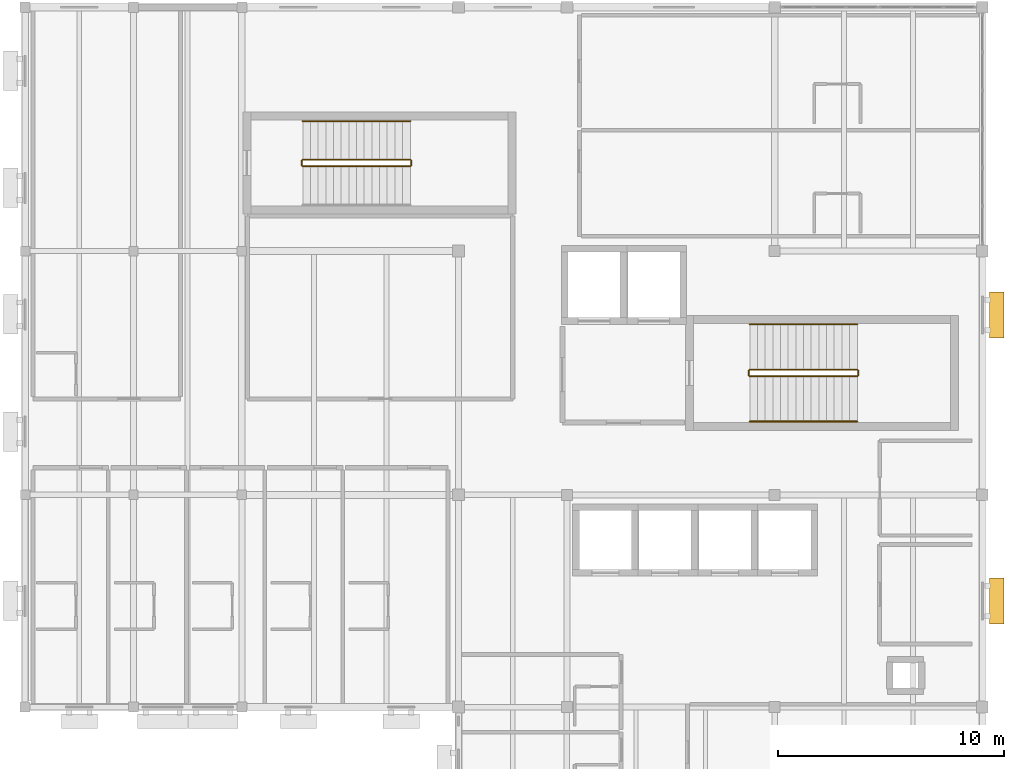
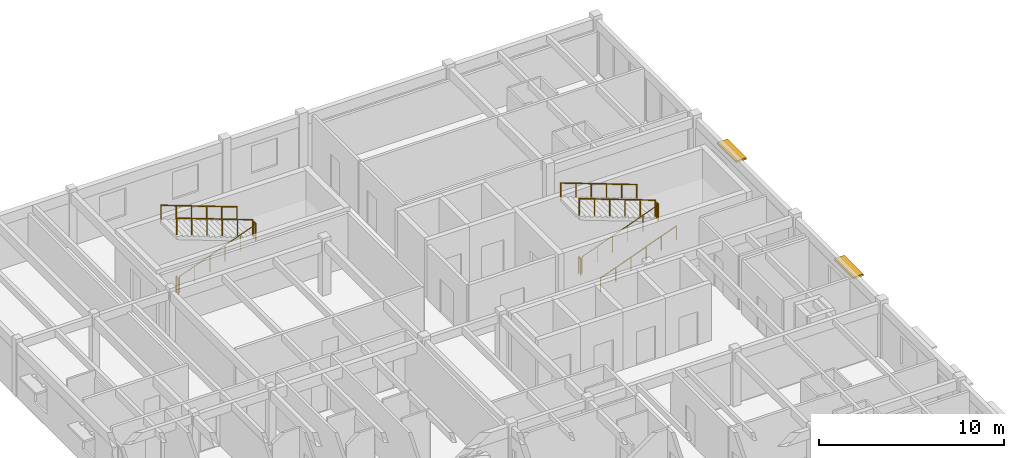
# One storey, part 20 of 20: 11 railings, 2 shading devices.
"""IFC4 building model written with IfcOpenShell, lengths in metres."""

from ifc_helpers import new_model, si_unit, direction, frame, origin, origin_2d, place, context, subcontext, project, spatial, rectangle, circle, extrude, material, type_object, element, save


model = new_model("IFC4")

# Units and contexts
model_context = context("Model", 3, precision=1e-05, world=origin(), true_north=direction((0.0, 1.0)))
body_context = subcontext(model_context, "Body", "Model", "MODEL_VIEW")
ifc_project = project(units=[si_unit("LENGTHUNIT", "METRE"), si_unit("AREAUNIT", "SQUARE_METRE"), si_unit("VOLUMEUNIT", "CUBIC_METRE"), si_unit("PLANEANGLEUNIT", "RADIAN"), si_unit("MASSUNIT", "GRAM", prefix="KILO")], contexts=[model_context])

# Site, building, storey
site_placement = place(None, origin())
site = spatial("IfcSite", under=ifc_project, at=site_placement, CompositionType="ELEMENT")
building_placement = place(site_placement, origin())
building = spatial("IfcBuilding", under=site, at=building_placement, Name="Veldera Park Congress Hotel", CompositionType="ELEMENT")
storey_placement = place(building_placement, frame((0.0, 0.0, 27.60009765625)))
storey = spatial("IfcBuildingStorey", under=building, at=storey_placement, Name="L06", CompositionType="ELEMENT", Elevation=27.60009765625)

# Railings
ifc_material_1 = material(Name="Steel ASTM A992 Gr.50", Category="steel")
railing_type_1 = type_object("IfcRailingType", Name="GRD-ST110", PredefinedType="GUARDRAIL", material=ifc_material_1)
railing_1_placement = place(storey_placement, frame((73.699951171875, 41.64990234375, 0.12646484375)))
element("IfcRailing", 1, at=railing_1_placement, inside=storey, type_object=railing_type_1, Name="L06 ST1 stair guard 1", PredefinedType="GUARDRAIL", context=body_context, shape_type="SweptSolid", body=[
    extrude(circle(Radius=0.02392578125, at=origin_2d()), frame((0.0, 0.0, 1.076171875), z_axis=(0.937075640343, 0.0, 0.349126401572), x_axis=(0.0, 1.0, 0.0)), (0.0, 0.0, 1.0), 5.07958984375),
    extrude(circle(Radius=0.02099609375, at=origin_2d()), origin(), (0.0, 0.0, 1.0), 1.052001953125),
    extrude(circle(Radius=0.02099609375, at=origin_2d()), frame((0.951904296875, 0.0, 0.354736328125)), (0.0, 0.0, 1.0), 1.052001953125),
    extrude(circle(Radius=0.02099609375, at=origin_2d()), frame((1.904052734375, 0.0, 0.70947265625)), (0.0, 0.0, 1.0), 1.052001953125),
    extrude(circle(Radius=0.02099609375, at=origin_2d()), frame((2.85595703125, 0.0, 1.06396484375)), (0.0, 0.0, 1.0), 1.052001953125),
    extrude(circle(Radius=0.02099609375, at=origin_2d()), frame((3.80810546875, 0.0, 1.418701171875)), (0.0, 0.0, 1.0), 1.052001953125),
    extrude(circle(Radius=0.02099609375, at=origin_2d()), frame((4.760009765625, 0.0, 1.7734375)), (0.0, 0.0, 1.0), 1.052001953125),
])
railing_2_placement = place(storey_placement, frame((78.510009765625, 41.699951171875, 1.89990234375)))
element("IfcRailing", 2, at=railing_2_placement, inside=storey, type_object=railing_type_1, Name="L06 ST1 stair guard 2", PredefinedType="GUARDRAIL", context=body_context, shape_type="SweptSolid", body=[
    extrude(circle(Radius=0.02392578125, at=origin_2d()), frame((0.0, 0.0, 1.076171875), z_axis=(0.0, 1.0, 0.0), x_axis=(-1.0, 0.0, 0.0)), (0.0, 0.0, 1.0), 0.199951171875),
    extrude(circle(Radius=0.02099609375, at=origin_2d()), origin(), (0.0, 0.0, 1.0), 1.052001953125),
    extrude(circle(Radius=0.02099609375, at=origin_2d()), frame((0.0, 0.199951171875, 0.0)), (0.0, 0.0, 1.0), 1.052001953125),
])
railing_3_placement = place(storey_placement, frame((78.4599609375, 41.949951171875, 2.026611328125)))
element("IfcRailing", 3, at=railing_3_placement, inside=storey, type_object=railing_type_1, Name="L06 ST1 stair guard 3", PredefinedType="GUARDRAIL", context=body_context, shape_type="SweptSolid", body=[
    extrude(circle(Radius=0.02392578125, at=origin_2d()), frame((0.0, 0.0, 1.076171875), z_axis=(-0.937091363699, 0.0, 0.349084196263), x_axis=(0.0, -1.0, 0.0)), (0.0, 0.0, 1.0), 5.07958984375),
    extrude(circle(Radius=0.02099609375, at=origin_2d()), origin(), (0.0, 0.0, 1.0), 1.052001953125),
    extrude(circle(Radius=0.02099609375, at=origin_2d()), frame((-0.951904296875, 0.0, 0.354736328125)), (0.0, 0.0, 1.0), 1.052001953125),
    extrude(circle(Radius=0.02099609375, at=origin_2d()), frame((-1.904052734375, 0.0, 0.709228515625)), (0.0, 0.0, 1.0), 1.052001953125),
    extrude(circle(Radius=0.02099609375, at=origin_2d()), frame((-2.85595703125, 0.0, 1.06396484375)), (0.0, 0.0, 1.0), 1.052001953125),
    extrude(circle(Radius=0.02099609375, at=origin_2d()), frame((-3.80810546875, 0.0, 1.41845703125)), (0.0, 0.0, 1.0), 1.052001953125),
    extrude(circle(Radius=0.02099609375, at=origin_2d()), frame((-4.760009765625, 0.0, 1.773193359375)), (0.0, 0.0, 1.0), 1.052001953125),
])
railing_4_placement = place(storey_placement, frame((73.64990234375, 41.699951171875, 0.0)))
element("IfcRailing", 4, at=railing_4_placement, inside=storey, type_object=railing_type_1, Name="L06 ST1 stair guard 4", PredefinedType="GUARDRAIL", context=body_context, shape_type="SweptSolid", body=[
    extrude(circle(Radius=0.02392578125, at=origin_2d()), frame((0.0, 0.0, 1.076171875), z_axis=(0.0, 1.0, 0.0), x_axis=(-1.0, 0.0, 0.0)), (0.0, 0.0, 1.0), 0.199951171875),
    extrude(circle(Radius=0.02099609375, at=origin_2d()), origin(), (0.0, 0.0, 1.0), 1.052001953125),
    extrude(circle(Radius=0.02099609375, at=origin_2d()), frame((0.0, 0.199951171875, 0.0)), (0.0, 0.0, 1.0), 1.052001953125),
])
railing_5_placement = place(storey_placement, frame((53.89990234375, 50.949951171875, 0.12646484375)))
element("IfcRailing", 5, at=railing_5_placement, inside=storey, type_object=railing_type_1, Name="L06 ST3 stair guard 1", PredefinedType="GUARDRAIL", context=body_context, shape_type="SweptSolid", body=[
    extrude(circle(Radius=0.02392578125, at=origin_2d()), frame((0.0, 0.0, 1.076171875), z_axis=(0.937075640343, 0.0, 0.349126401572), x_axis=(0.0, 1.0, 0.0)), (0.0, 0.0, 1.0), 5.07958984375),
    extrude(circle(Radius=0.02099609375, at=origin_2d()), origin(), (0.0, 0.0, 1.0), 1.052001953125),
    extrude(circle(Radius=0.02099609375, at=origin_2d()), frame((0.951904296875, 0.0, 0.354736328125)), (0.0, 0.0, 1.0), 1.052001953125),
    extrude(circle(Radius=0.02099609375, at=origin_2d()), frame((1.904052734375, 0.0, 0.70947265625)), (0.0, 0.0, 1.0), 1.052001953125),
    extrude(circle(Radius=0.02099609375, at=origin_2d()), frame((2.85595703125, 0.0, 1.06396484375)), (0.0, 0.0, 1.0), 1.052001953125),
    extrude(circle(Radius=0.02099609375, at=origin_2d()), frame((3.80810546875, 0.0, 1.418701171875)), (0.0, 0.0, 1.0), 1.052001953125),
    extrude(circle(Radius=0.02099609375, at=origin_2d()), frame((4.760009765625, 0.0, 1.7734375)), (0.0, 0.0, 1.0), 1.052001953125),
])
railing_6_placement = place(storey_placement, frame((58.7099609375, 51.0, 1.89990234375)))
element("IfcRailing", 6, at=railing_6_placement, inside=storey, type_object=railing_type_1, Name="L06 ST3 stair guard 2", PredefinedType="GUARDRAIL", context=body_context, shape_type="SweptSolid", body=[
    extrude(circle(Radius=0.02392578125, at=origin_2d()), frame((0.0, 0.0, 1.076171875), z_axis=(0.0, 1.0, 0.0), x_axis=(-1.0, 0.0, 0.0)), (0.0, 0.0, 1.0), 0.199951171875),
    extrude(circle(Radius=0.02099609375, at=origin_2d()), origin(), (0.0, 0.0, 1.0), 1.052001953125),
    extrude(circle(Radius=0.02099609375, at=origin_2d()), frame((0.0, 0.199951171875, 0.0)), (0.0, 0.0, 1.0), 1.052001953125),
])
railing_7_placement = place(storey_placement, frame((58.659912109375, 51.25, 2.026611328125)))
element("IfcRailing", 7, at=railing_7_placement, inside=storey, type_object=railing_type_1, Name="L06 ST3 stair guard 3", PredefinedType="GUARDRAIL", context=body_context, shape_type="SweptSolid", body=[
    extrude(circle(Radius=0.02392578125, at=origin_2d()), frame((0.0, 0.0, 1.076171875), z_axis=(-0.937091363699, 0.0, 0.349084196263), x_axis=(0.0, -1.0, 0.0)), (0.0, 0.0, 1.0), 5.07958984375),
    extrude(circle(Radius=0.02099609375, at=origin_2d()), origin(), (0.0, 0.0, 1.0), 1.052001953125),
    extrude(circle(Radius=0.02099609375, at=origin_2d()), frame((-0.951904296875, 0.0, 0.354736328125)), (0.0, 0.0, 1.0), 1.052001953125),
    extrude(circle(Radius=0.02099609375, at=origin_2d()), frame((-1.904052734375, 0.0, 0.709228515625)), (0.0, 0.0, 1.0), 1.052001953125),
    extrude(circle(Radius=0.02099609375, at=origin_2d()), frame((-2.85595703125, 0.0, 1.06396484375)), (0.0, 0.0, 1.0), 1.052001953125),
    extrude(circle(Radius=0.02099609375, at=origin_2d()), frame((-3.80810546875, 0.0, 1.41845703125)), (0.0, 0.0, 1.0), 1.052001953125),
    extrude(circle(Radius=0.02099609375, at=origin_2d()), frame((-4.760009765625, 0.0, 1.773193359375)), (0.0, 0.0, 1.0), 1.052001953125),
])
railing_8_placement = place(storey_placement, frame((53.85009765625, 51.0, 0.0)))
element("IfcRailing", 8, at=railing_8_placement, inside=storey, type_object=railing_type_1, Name="L06 ST3 stair guard 4", PredefinedType="GUARDRAIL", context=body_context, shape_type="SweptSolid", body=[
    extrude(circle(Radius=0.02392578125, at=origin_2d()), frame((0.0, 0.0, 1.076171875), z_axis=(0.0, 1.0, 0.0), x_axis=(-1.0, 0.0, 0.0)), (0.0, 0.0, 1.0), 0.199951171875),
    extrude(circle(Radius=0.02099609375, at=origin_2d()), origin(), (0.0, 0.0, 1.0), 1.052001953125),
    extrude(circle(Radius=0.02099609375, at=origin_2d()), frame((0.0, 0.199951171875, 0.0)), (0.0, 0.0, 1.0), 1.052001953125),
])
railing_type_2 = type_object("IfcRailingType", Name="HRL-920", PredefinedType="HANDRAIL", material=ifc_material_1)
railing_9_placement = place(storey_placement, frame((73.699951171875, 39.64990234375, 0.12646484375)))
element("IfcRailing", 9, at=railing_9_placement, inside=storey, type_object=railing_type_2, Name="L06 ST1 stair handrail 1", PredefinedType="HANDRAIL", context=body_context, shape_type="SweptSolid", body=[
    extrude(circle(Radius=0.02392578125, at=origin_2d()), frame((0.0, 0.0, 0.89599609375), z_axis=(0.937075640343, 0.0, 0.349126401572), x_axis=(0.0, 1.0, 0.0)), (0.0, 0.0, 1.0), 5.07958984375),
    extrude(circle(Radius=0.02099609375, at=origin_2d()), origin(), (0.0, 0.0, 1.0), 0.871826171875),
    extrude(circle(Radius=0.02099609375, at=origin_2d()), frame((0.951904296875, 0.0, 0.354736328125)), (0.0, 0.0, 1.0), 0.871826171875),
    extrude(circle(Radius=0.02099609375, at=origin_2d()), frame((1.904052734375, 0.0, 0.70947265625)), (0.0, 0.0, 1.0), 0.871826171875),
    extrude(circle(Radius=0.02099609375, at=origin_2d()), frame((2.85595703125, 0.0, 1.06396484375)), (0.0, 0.0, 1.0), 0.871826171875),
    extrude(circle(Radius=0.02099609375, at=origin_2d()), frame((3.80810546875, 0.0, 1.418701171875)), (0.0, 0.0, 1.0), 0.871826171875),
    extrude(circle(Radius=0.02099609375, at=origin_2d()), frame((4.760009765625, 0.0, 1.7734375)), (0.0, 0.0, 1.0), 0.871826171875),
])
for number, where, name in (
    (10, (78.4599609375, 43.949951171875, 2.026611328125), "L06 ST1 stair handrail 2"),
    (11, (58.659912109375, 52.949951171875, 2.026611328125), "L06 ST3 stair handrail 2"),
):
    element("IfcRailing", number, at=place(storey_placement, frame(where)), inside=storey, type_object=railing_type_2, Name=name, PredefinedType="HANDRAIL", context=body_context, shape_type="SweptSolid", body=[
        extrude(circle(Radius=0.02392578125, at=origin_2d()), frame((0.0, 0.0, 0.89599609375), z_axis=(-0.937091363699, 0.0, 0.349084196263), x_axis=(0.0, -1.0, 0.0)), (0.0, 0.0, 1.0), 5.07958984375),
        extrude(circle(Radius=0.02099609375, at=origin_2d()), origin(), (0.0, 0.0, 1.0), 0.871826171875),
        extrude(circle(Radius=0.02099609375, at=origin_2d()), frame((-0.951904296875, 0.0, 0.354736328125)), (0.0, 0.0, 1.0), 0.871826171875),
        extrude(circle(Radius=0.02099609375, at=origin_2d()), frame((-1.904052734375, 0.0, 0.709228515625)), (0.0, 0.0, 1.0), 0.871826171875),
        extrude(circle(Radius=0.02099609375, at=origin_2d()), frame((-2.85595703125, 0.0, 1.06396484375)), (0.0, 0.0, 1.0), 0.871826171875),
        extrude(circle(Radius=0.02099609375, at=origin_2d()), frame((-3.80810546875, 0.0, 1.41845703125)), (0.0, 0.0, 1.0), 0.871826171875),
        extrude(circle(Radius=0.02099609375, at=origin_2d()), frame((-4.760009765625, 0.0, 1.773193359375)), (0.0, 0.0, 1.0), 0.871826171875),
    ])

# Shading devices
ifc_material_2 = material(Name="Glulam GL28h (NDS 24F-V4)", Category="wood")
shading_device_type = type_object("IfcShadingDeviceType", Name="SHD-LVR300", PredefinedType="JALOUSIE", material=ifc_material_2)
for number, where, z_axis, x_axis, name in (
    (12, (84.635009765625, 31.699951171875, 2.669921875), (0.0, 0.0, 1.0), (0.0, 1.0, 0.0), "Glulam Solar Shade 175"),
    (13, (84.635009765625, 44.37109375, 2.669921875), (0.0, 0.0, 1.0), (0.0, 1.0, 0.0), "Glulam Solar Shade 176"),
):
    element("IfcShadingDevice", number, at=place(storey_placement, frame(where, z_axis=z_axis, x_axis=x_axis)), inside=storey, type_object=shading_device_type, Name=name, PredefinedType="JALOUSIE", context=body_context, shape_type="SweptSolid", body=[
        extrude(rectangle(XDim=2.050048828125, YDim=0.64990234375, at=origin_2d()), origin(), (0.0, 0.0, 1.0), 0.1201171875),
    ])

save(model, "model.ifc")
